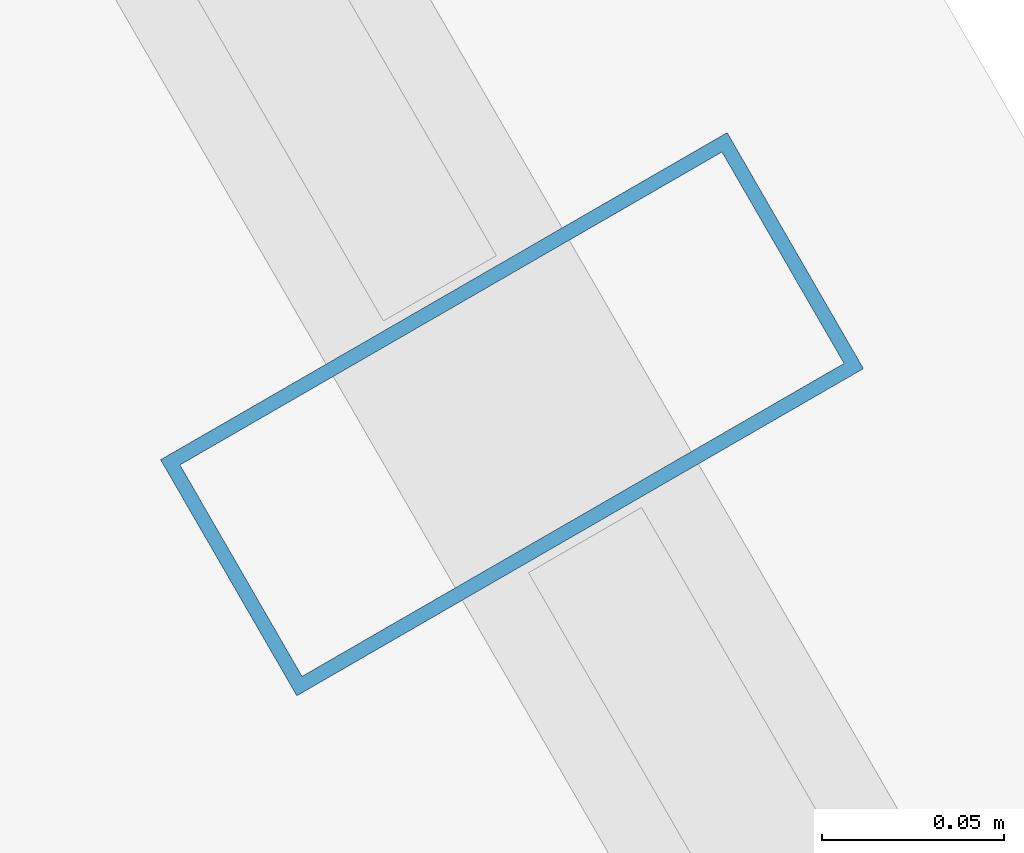
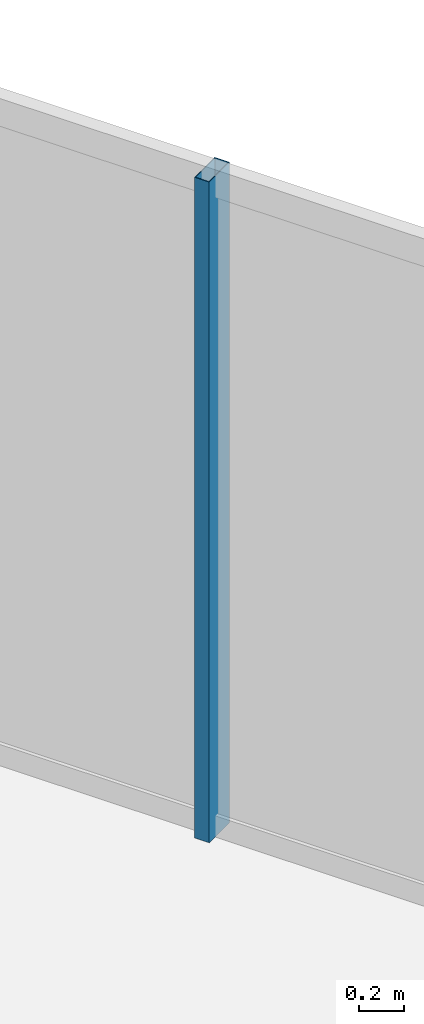
# One storey, part 19 of 31: 1 member, 1 element without a shape of its own.
"""IFC4 building model written with IfcOpenShell, lengths in metres."""

from ifc_helpers import new_model, si_unit, direction, frame, origin, origin_2d, place, context, subcontext, project, spatial, hollow_rectangle, extrude, material, layer, layer_set, material_profile, profile_set, type_object, element, aggregate, save


model = new_model("IFC4")

# Units and contexts
model_context = context("Model", 3, precision=1e-05, world=origin(), true_north=direction((0.0, 1.0)))
body_context = subcontext(model_context, "Body", "Model", "MODEL_VIEW")
ifc_project = project(units=[si_unit("LENGTHUNIT", "METRE"), si_unit("AREAUNIT", "SQUARE_METRE"), si_unit("VOLUMEUNIT", "CUBIC_METRE"), si_unit("PLANEANGLEUNIT", "RADIAN"), si_unit("MASSUNIT", "GRAM", prefix="KILO")], contexts=[model_context])

# Site, building, storey
site_placement = place(None, origin())
site = spatial("IfcSite", under=ifc_project, at=site_placement, CompositionType="ELEMENT")
building_placement = place(site_placement, origin())
building = spatial("IfcBuilding", under=site, at=building_placement, Name="Ndaravel Arena Tower", CompositionType="ELEMENT")
storey_placement = place(building_placement, frame((0.0, 0.0, 146.0)))
storey = spatial("IfcBuildingStorey", under=building, at=storey_placement, Name="L34", CompositionType="ELEMENT", Elevation=146.0)

# Curtain wall, member
ifc_material_1 = material(Name="Aluminium", Category="aluminium")
ifc_layer = layer(ifc_material_1, 0.179931640625)
ifc_layer_set = layer_set([ifc_layer], Name="Aluminium")
curtain_wall_type = type_object("IfcCurtainWallType", Name="CW-SYS-03", PredefinedType="NOTDEFINED", material=ifc_layer_set)
curtain_wall_placement = place(storey_placement, origin())
curtain_wall = element("IfcCurtainWall", 1, at=curtain_wall_placement, inside=storey, type_object=curtain_wall_type, Name="L34 Faceted Crystal Curtain Wall CW-L34-E03", PredefinedType="NOTDEFINED")
ifc_material_2 = material(Name="Aluminium", Category="aluminium")
ifc_material_profile = material_profile(ifc_material_2, hollow_rectangle(XDim=0.074951171875, YDim=0.179931640625, WallThickness=0.00390625, at=origin_2d()), Name="CW MULLION 75x180x4")
ifc_profile_set = profile_set([ifc_material_profile], Name="Aluminium")
member_type = type_object("IfcMemberType", Name="MEM-CW-MUL180", PredefinedType="MULLION", material=ifc_profile_set)
member_placement = place(storey_placement, frame((54.539306640625, 34.5693359375, 0.0), z_axis=(0.0, 0.0, 1.0), x_axis=(-0.5, 0.866025403784, 0.0)))
member = element("IfcMember", 2, at=member_placement, type_object=member_type, Name="CW-L34-E03 Mullion 05", PredefinedType="MULLION", context=body_context, shape_type="SweptSolid", body=[
    extrude(hollow_rectangle(XDim=0.074951171875, YDim=0.179931640625, WallThickness=0.00390625, at=origin_2d()), origin(), (0.0, 0.0, 1.0), 3.580078125),
])
aggregate(curtain_wall, [member])

save(model, "model.ifc")
